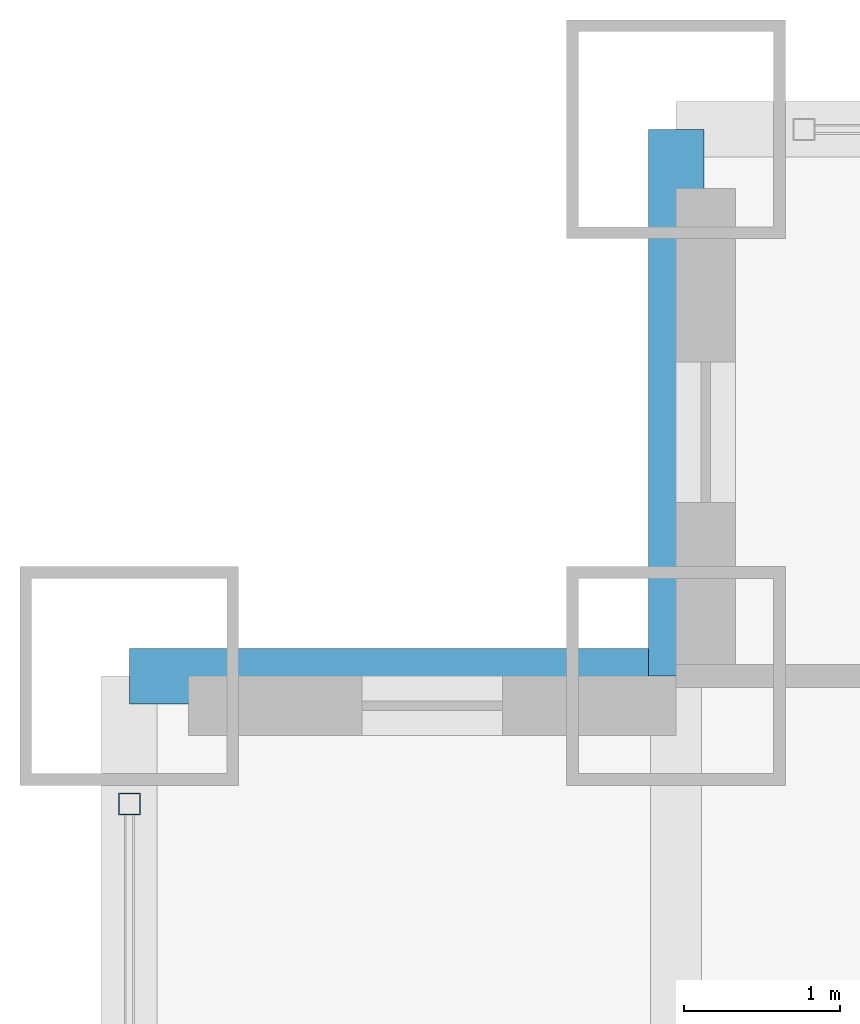
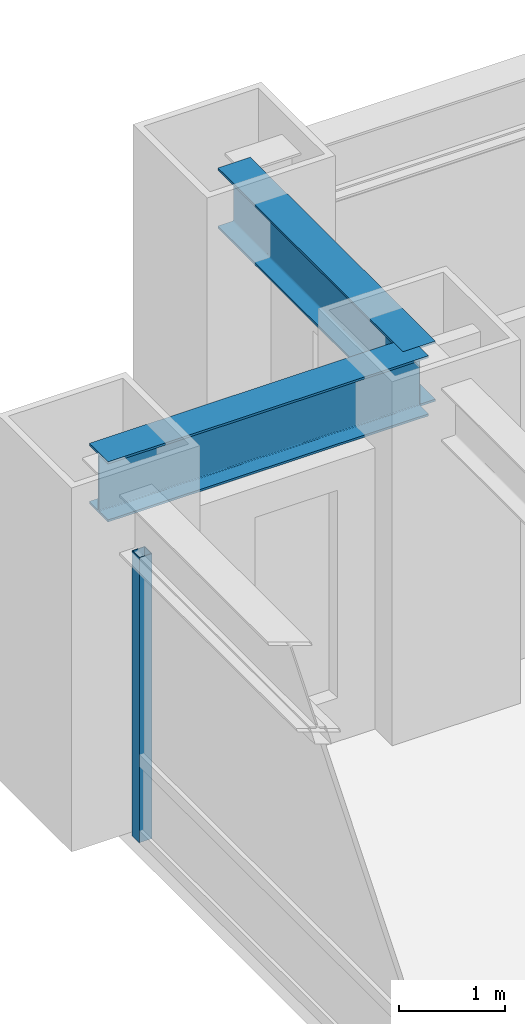
# One storey, part 10 of 28: 2 beams, 1 member, 1 element without a shape of its own.
"""IFC4 building model written with IfcOpenShell, lengths in metres."""

from ifc_helpers import new_model, si_unit, direction, frame, origin, origin_2d, place, context, subcontext, project, spatial, hollow_rectangle, i_section, extrude, source, transform, mapped, material, material_profile, profile_set, type_object, element, aggregate, save


model = new_model("IFC4")

# Units and contexts
model_context = context("Model", 3, precision=1e-05, world=origin(), true_north=direction((0.0, 1.0)))
body_context = subcontext(model_context, "Body", "Model", "MODEL_VIEW")
ifc_project = project(units=[si_unit("LENGTHUNIT", "METRE"), si_unit("AREAUNIT", "SQUARE_METRE"), si_unit("VOLUMEUNIT", "CUBIC_METRE"), si_unit("PLANEANGLEUNIT", "RADIAN"), si_unit("MASSUNIT", "GRAM", prefix="KILO")], contexts=[model_context])

# Site, building, storey
site_placement = place(None, origin())
site = spatial("IfcSite", under=ifc_project, at=site_placement, CompositionType="ELEMENT")
building_placement = place(site_placement, origin())
building = spatial("IfcBuilding", under=site, at=building_placement, Name="Khorayat Bourse Tower", CompositionType="ELEMENT")
storey_placement = place(building_placement, frame((0.0, 0.0, 83.0)))
storey = spatial("IfcBuildingStorey", under=building, at=storey_placement, Name="L18", CompositionType="ELEMENT", Elevation=83.0)

# Beams
ifc_material_1 = material(Name="Steel ASTM A992 Grade 50", Category="steel")
ifc_material_profile_1 = material_profile(ifc_material_1, i_section(OverallWidth=0.35498046875, OverallDepth=0.695068359375, WebThickness=0.015380859375, FlangeThickness=0.02490234375, FilletRadius=0.01806640625, at=origin_2d()), Name="W690X217")
ifc_profile_set_1 = profile_set([ifc_material_profile_1], Name="Steel ASTM A992 Grade 50")
beam_type = type_object("IfcBeamType", Name="BM-SPAN-690", PredefinedType="SPANDREL", material=ifc_profile_set_1)
shared_shape_1 = source(origin(), body_context, "Body", "SweptSolid", [
    extrude(i_section(OverallWidth=0.35498046875, OverallDepth=0.695068359375, WebThickness=0.015380859375, FlangeThickness=0.02490234375, FilletRadius=0.01806640625, at=origin_2d()), origin(), (0.0, 0.0, 1.0), 3.5),
])
for number, where, z_axis, x_axis, name in (
    (1, (-28.5, 28.5, 3.592529296875), (0.0, 1.0, 0.0), (-1.0, 0.0, 0.0), "L18 BM-SPAN-690 BM-L18-SPN-052"),
    (2, (-32.0, 28.5, 3.592529296875), (1.0, 0.0, 0.0), (0.0, 1.0, 0.0), "L18 BM-SPAN-690 BM-L18-SPN-053"),
):
    element("IfcBeam", number, at=place(storey_placement, frame(where, z_axis=z_axis, x_axis=x_axis)), inside=storey, type_object=beam_type, Name=name, PredefinedType="SPANDREL", context=body_context, shape_type="MappedRepresentation", body=[
        mapped(shared_shape_1, transform((0.0, 0.0, 0.0), scale=1.0)),
    ])

# Curtain wall, member
ifc_material_2 = material(Name="Aluminium EN AW-6063 T6", Category="aluminium")
curtain_wall_type = type_object("IfcCurtainWallType", Name="CW-SYS-02", PredefinedType="NOTDEFINED", material=ifc_material_2)
curtain_wall_placement = place(storey_placement, origin())
curtain_wall = element("IfcCurtainWall", 3, at=curtain_wall_placement, inside=storey, type_object=curtain_wall_type, Name="L18 Curtain Wall CW-L18-W1", PredefinedType="NOTDEFINED")
ifc_material_profile_2 = material_profile(ifc_material_2, hollow_rectangle(XDim=0.139892578125, YDim=0.139892578125, WallThickness=0.006103515625, at=origin_2d()), Name="ALU 140x140x6")
ifc_profile_set_2 = profile_set([ifc_material_profile_2], Name="Aluminium EN AW-6063 T6")
member_type = type_object("IfcMemberType", Name="CWM-VERT-140", PredefinedType="MULLION", material=ifc_profile_set_2)
shared_shape_2 = source(origin(), body_context, "Body", "SweptSolid", [
    extrude(hollow_rectangle(XDim=0.139892578125, YDim=0.139892578125, WallThickness=0.006103515625, at=origin_2d()), origin(), (0.0, 0.0, 1.0), 3.2900390625),
])
member_placement = place(storey_placement, frame((-32.0, 27.679931640625, 0.0), z_axis=(0.0, 0.0, 1.0), x_axis=(-1.0, 0.0, 0.0)))
member = element("IfcMember", 4, at=member_placement, type_object=member_type, Name="CW-L18-W1 Vertical Mullion 3", PredefinedType="MULLION", context=body_context, shape_type="MappedRepresentation", body=[
    mapped(shared_shape_2, transform((0.0, 0.0, 0.0), scale=1.0)),
])
aggregate(curtain_wall, [member])

save(model, "model.ifc")
